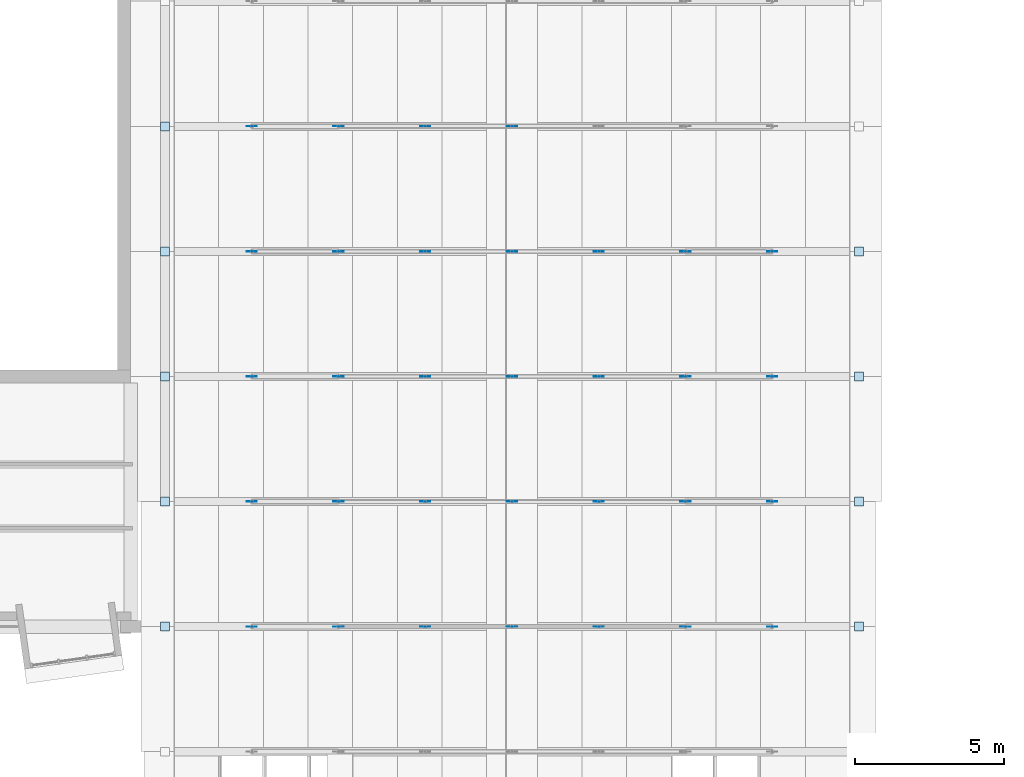
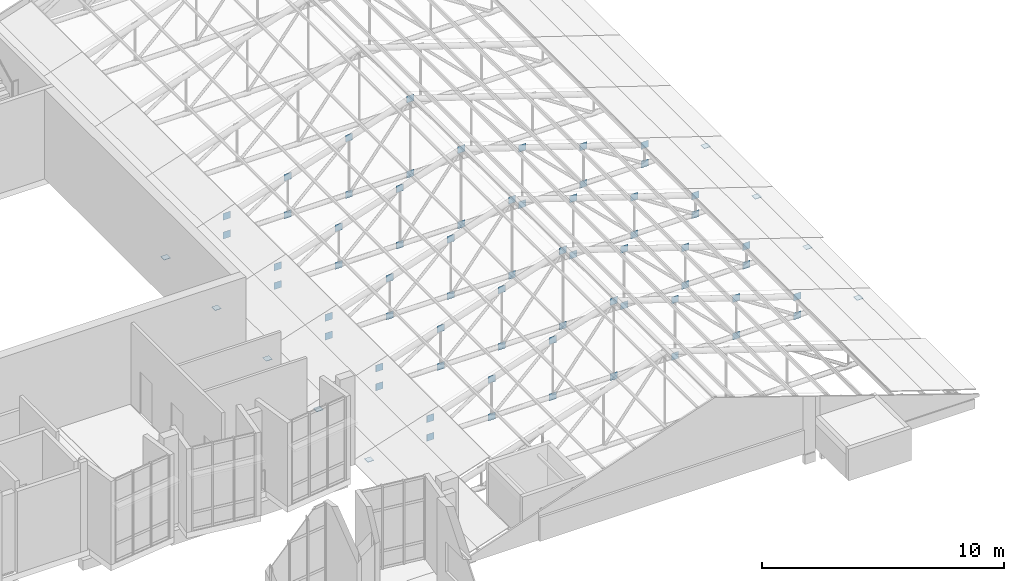
# One storey, part 76 of 95: 73 plates.
"""IFC4 building model written with IfcOpenShell, lengths in metres."""

from ifc_helpers import new_model, si_unit, direction, frame, origin, origin_2d, place, context, subcontext, project, spatial, rectangle, extrude, material, layer, layer_set, type_object, element, save


model = new_model("IFC4")

# Units and contexts
model_context = context("Model", 3, precision=1e-05, world=origin(), true_north=direction((0.0, 1.0)))
body_context = subcontext(model_context, "Body", "Model", "MODEL_VIEW")
ifc_project = project(units=[si_unit("LENGTHUNIT", "METRE"), si_unit("AREAUNIT", "SQUARE_METRE"), si_unit("VOLUMEUNIT", "CUBIC_METRE"), si_unit("PLANEANGLEUNIT", "RADIAN"), si_unit("MASSUNIT", "GRAM", prefix="KILO")], contexts=[model_context])

# Site, building, storey
site_placement = place(None, origin())
site = spatial("IfcSite", under=ifc_project, at=site_placement, CompositionType="ELEMENT")
building_placement = place(site_placement, origin())
building = spatial("IfcBuilding", under=site, at=building_placement, Name="Kiln Court Media Centre", CompositionType="ELEMENT")
storey_placement = place(building_placement, frame((0.0, 0.0, 24.60009765625)))
storey = spatial("IfcBuildingStorey", under=building, at=storey_placement, Name="L05", CompositionType="ELEMENT", Elevation=24.60009765625)

# Plates
ifc_material_1 = material(Name="Steel ASTM A572 Gr 50", Category="steel")
ifc_layer_1 = layer(ifc_material_1, 0.01611328125)
ifc_layer_set_1 = layer_set([ifc_layer_1], Name="Steel ASTM A572 Gr 50 300x300x16 connection plate")
plate_type_1 = type_object("IfcPlateType", Name="Steel ASTM A572 Gr 50 300x300x16 connection plate", PredefinedType="USERDEFINED", material=ifc_layer_set_1)
for number, where, z_axis, x_axis, name in (
    (1, (34.75, 33.60009765625, -0.152099609375), (0.0, 0.0, 1.0), (1.0, 0.0, 0.0), "foyer truss FT-03 west bearing connection plate"),
    (2, (58.050048828125, 33.60009765625, -0.152099609375), (0.0, 0.0, 1.0), (1.0, 0.0, 0.0), "foyer truss FT-03 east bearing connection plate"),
    (3, (34.75, 37.800048828125, -0.152099609375), (0.0, 0.0, 1.0), (1.0, 0.0, 0.0), "foyer truss FT-04 west bearing connection plate"),
    (4, (58.050048828125, 37.800048828125, -0.152099609375), (0.0, 0.0, 1.0), (1.0, 0.0, 0.0), "foyer truss FT-04 east bearing connection plate"),
    (5, (34.75, 42.0, -0.152099609375), (0.0, 0.0, 1.0), (1.0, 0.0, 0.0), "foyer truss FT-05 west bearing connection plate"),
    (6, (58.050048828125, 42.0, -0.152099609375), (0.0, 0.0, 1.0), (1.0, 0.0, 0.0), "foyer truss FT-05 east bearing connection plate"),
    (7, (34.75, 46.199951171875, -0.152099609375), (0.0, 0.0, 1.0), (1.0, 0.0, 0.0), "foyer truss FT-06 west bearing connection plate"),
    (8, (58.050048828125, 46.199951171875, -0.152099609375), (0.0, 0.0, 1.0), (1.0, 0.0, 0.0), "foyer truss FT-06 east bearing connection plate"),
    (9, (34.75, 50.39990234375, -0.152099609375), (0.0, 0.0, 1.0), (1.0, 0.0, 0.0), "foyer truss FT-07 west bearing connection plate"),
):
    element("IfcPlate", number, at=place(storey_placement, frame(where, z_axis=z_axis, x_axis=x_axis)), inside=storey, type_object=plate_type_1, Name=name, ObjectType="CONNECTION PLATE", PredefinedType="USERDEFINED", context=body_context, shape_type="SweptSolid", body=[
        extrude(rectangle(XDim=0.300048828125, YDim=0.300048828125, at=origin_2d()), origin(), (0.0, 0.0, 1.0), 0.01611328125),
    ])
ifc_material_2 = material(Name="Steel ASTM A572 Gr 50", Category="steel")
ifc_layer_2 = layer(ifc_material_2, 0.010009765625)
ifc_layer_set_2 = layer_set([ifc_layer_2], Name="Steel ASTM A572 Gr 50 350x350x10 connection plate FT")
plate_type_2 = type_object("IfcPlateType", Name="Steel ASTM A572 Gr 50 350x350x10 connection plate FT", PredefinedType="USERDEFINED", material=ifc_layer_set_2)
for number, where, z_axis, x_axis, name in (
    (10, (37.66259765625, 33.60009765625, -0.18896484375), (0.0, 0.0, 1.0), (1.0, 0.0, 0.0), "FT node connection plate"),
    (11, (37.66259765625, 33.60009765625, 0.757568359375), (0.0, 0.0, 1.0), (1.0, 0.0, 0.0), "FT node connection plate"),
    (12, (37.66259765625, 37.800048828125, -0.18896484375), (0.0, 0.0, 1.0), (1.0, 0.0, 0.0), "FT node connection plate"),
    (13, (37.66259765625, 37.800048828125, 0.757568359375), (0.0, 0.0, 1.0), (1.0, 0.0, 0.0), "FT node connection plate"),
    (14, (37.66259765625, 42.0, -0.18896484375), (0.0, 0.0, 1.0), (1.0, 0.0, 0.0), "FT node connection plate"),
    (15, (37.66259765625, 42.0, 0.757568359375), (0.0, 0.0, 1.0), (1.0, 0.0, 0.0), "FT node connection plate"),
    (16, (37.66259765625, 46.199951171875, -0.18896484375), (0.0, 0.0, 1.0), (1.0, 0.0, 0.0), "FT node connection plate"),
    (17, (37.66259765625, 46.199951171875, 0.757568359375), (0.0, 0.0, 1.0), (1.0, 0.0, 0.0), "FT node connection plate"),
    (18, (37.66259765625, 50.39990234375, -0.18896484375), (0.0, 0.0, 1.0), (1.0, 0.0, 0.0), "FT node connection plate"),
    (19, (37.66259765625, 50.39990234375, 0.757568359375), (0.0, 0.0, 1.0), (1.0, 0.0, 0.0), "FT node connection plate"),
    (20, (40.574951171875, 33.60009765625, -0.18896484375), (0.0, 0.0, 1.0), (1.0, 0.0, 0.0), "FT node connection plate"),
    (21, (40.574951171875, 33.60009765625, 1.703857421875), (0.0, 0.0, 1.0), (1.0, 0.0, 0.0), "FT node connection plate"),
    (22, (40.574951171875, 37.800048828125, -0.18896484375), (0.0, 0.0, 1.0), (1.0, 0.0, 0.0), "FT node connection plate"),
    (23, (40.574951171875, 37.800048828125, 1.703857421875), (0.0, 0.0, 1.0), (1.0, 0.0, 0.0), "FT node connection plate"),
    (24, (40.574951171875, 42.0, -0.18896484375), (0.0, 0.0, 1.0), (1.0, 0.0, 0.0), "FT node connection plate"),
    (25, (40.574951171875, 42.0, 1.703857421875), (0.0, 0.0, 1.0), (1.0, 0.0, 0.0), "FT node connection plate"),
    (26, (40.574951171875, 46.199951171875, -0.18896484375), (0.0, 0.0, 1.0), (1.0, 0.0, 0.0), "FT node connection plate"),
    (27, (40.574951171875, 46.199951171875, 1.703857421875), (0.0, 0.0, 1.0), (1.0, 0.0, 0.0), "FT node connection plate"),
    (28, (40.574951171875, 50.39990234375, -0.18896484375), (0.0, 0.0, 1.0), (1.0, 0.0, 0.0), "FT node connection plate"),
    (29, (40.574951171875, 50.39990234375, 1.703857421875), (0.0, 0.0, 1.0), (1.0, 0.0, 0.0), "FT node connection plate"),
    (30, (43.487548828125, 33.60009765625, -0.18896484375), (0.0, 0.0, 1.0), (1.0, 0.0, 0.0), "FT node connection plate"),
    (31, (43.487548828125, 33.60009765625, 2.650146484375), (0.0, 0.0, 1.0), (1.0, 0.0, 0.0), "FT node connection plate"),
    (32, (43.487548828125, 37.800048828125, -0.18896484375), (0.0, 0.0, 1.0), (1.0, 0.0, 0.0), "FT node connection plate"),
    (33, (43.487548828125, 37.800048828125, 2.650146484375), (0.0, 0.0, 1.0), (1.0, 0.0, 0.0), "FT node connection plate"),
    (34, (43.487548828125, 42.0, -0.18896484375), (0.0, 0.0, 1.0), (1.0, 0.0, 0.0), "FT node connection plate"),
    (35, (43.487548828125, 42.0, 2.650146484375), (0.0, 0.0, 1.0), (1.0, 0.0, 0.0), "FT node connection plate"),
    (36, (43.487548828125, 46.199951171875, -0.18896484375), (0.0, 0.0, 1.0), (1.0, 0.0, 0.0), "FT node connection plate"),
    (37, (43.487548828125, 46.199951171875, 2.650146484375), (0.0, 0.0, 1.0), (1.0, 0.0, 0.0), "FT node connection plate"),
    (38, (43.487548828125, 50.39990234375, -0.18896484375), (0.0, 0.0, 1.0), (1.0, 0.0, 0.0), "FT node connection plate"),
    (39, (43.487548828125, 50.39990234375, 2.650146484375), (0.0, 0.0, 1.0), (1.0, 0.0, 0.0), "FT node connection plate"),
    (40, (46.39990234375, 33.60009765625, -0.18896484375), (0.0, 0.0, 1.0), (1.0, 0.0, 0.0), "FT node connection plate"),
    (41, (46.39990234375, 33.60009765625, 3.596435546875), (0.0, 0.0, 1.0), (1.0, 0.0, 0.0), "FT node connection plate"),
    (42, (46.39990234375, 37.800048828125, -0.18896484375), (0.0, 0.0, 1.0), (1.0, 0.0, 0.0), "FT node connection plate"),
    (43, (46.39990234375, 37.800048828125, 3.596435546875), (0.0, 0.0, 1.0), (1.0, 0.0, 0.0), "FT node connection plate"),
    (44, (46.39990234375, 42.0, -0.18896484375), (0.0, 0.0, 1.0), (1.0, 0.0, 0.0), "FT node connection plate"),
    (45, (46.39990234375, 42.0, 3.596435546875), (0.0, 0.0, 1.0), (1.0, 0.0, 0.0), "FT node connection plate"),
    (46, (46.39990234375, 46.199951171875, -0.18896484375), (0.0, 0.0, 1.0), (1.0, 0.0, 0.0), "FT node connection plate"),
    (47, (46.39990234375, 46.199951171875, 3.596435546875), (0.0, 0.0, 1.0), (1.0, 0.0, 0.0), "FT node connection plate"),
    (48, (46.39990234375, 50.39990234375, -0.18896484375), (0.0, 0.0, 1.0), (1.0, 0.0, 0.0), "FT node connection plate"),
    (49, (46.39990234375, 50.39990234375, 3.596435546875), (0.0, 0.0, 1.0), (1.0, 0.0, 0.0), "FT node connection plate"),
    (50, (49.3125, 33.60009765625, -0.18896484375), (0.0, 0.0, 1.0), (1.0, 0.0, 0.0), "FT node connection plate"),
    (51, (49.3125, 33.60009765625, 2.650146484375), (0.0, 0.0, 1.0), (1.0, 0.0, 0.0), "FT node connection plate"),
    (52, (49.3125, 37.800048828125, -0.18896484375), (0.0, 0.0, 1.0), (1.0, 0.0, 0.0), "FT node connection plate"),
    (53, (49.3125, 37.800048828125, 2.650146484375), (0.0, 0.0, 1.0), (1.0, 0.0, 0.0), "FT node connection plate"),
    (54, (49.3125, 42.0, -0.18896484375), (0.0, 0.0, 1.0), (1.0, 0.0, 0.0), "FT node connection plate"),
    (55, (49.3125, 42.0, 2.650146484375), (0.0, 0.0, 1.0), (1.0, 0.0, 0.0), "FT node connection plate"),
    (56, (49.3125, 46.199951171875, -0.18896484375), (0.0, 0.0, 1.0), (1.0, 0.0, 0.0), "FT node connection plate"),
    (57, (49.3125, 46.199951171875, 2.650146484375), (0.0, 0.0, 1.0), (1.0, 0.0, 0.0), "FT node connection plate"),
    (58, (52.22509765625, 33.60009765625, -0.18896484375), (0.0, 0.0, 1.0), (1.0, 0.0, 0.0), "FT node connection plate"),
    (59, (52.22509765625, 33.60009765625, 1.703857421875), (0.0, 0.0, 1.0), (1.0, 0.0, 0.0), "FT node connection plate"),
    (60, (52.22509765625, 37.800048828125, -0.18896484375), (0.0, 0.0, 1.0), (1.0, 0.0, 0.0), "FT node connection plate"),
    (61, (52.22509765625, 37.800048828125, 1.703857421875), (0.0, 0.0, 1.0), (1.0, 0.0, 0.0), "FT node connection plate"),
    (62, (52.22509765625, 42.0, -0.18896484375), (0.0, 0.0, 1.0), (1.0, 0.0, 0.0), "FT node connection plate"),
    (63, (52.22509765625, 42.0, 1.703857421875), (0.0, 0.0, 1.0), (1.0, 0.0, 0.0), "FT node connection plate"),
    (64, (52.22509765625, 46.199951171875, -0.18896484375), (0.0, 0.0, 1.0), (1.0, 0.0, 0.0), "FT node connection plate"),
    (65, (52.22509765625, 46.199951171875, 1.703857421875), (0.0, 0.0, 1.0), (1.0, 0.0, 0.0), "FT node connection plate"),
    (66, (55.137451171875, 33.60009765625, -0.18896484375), (0.0, 0.0, 1.0), (1.0, 0.0, 0.0), "FT node connection plate"),
    (67, (55.137451171875, 33.60009765625, 0.757568359375), (0.0, 0.0, 1.0), (1.0, 0.0, 0.0), "FT node connection plate"),
    (68, (55.137451171875, 37.800048828125, -0.18896484375), (0.0, 0.0, 1.0), (1.0, 0.0, 0.0), "FT node connection plate"),
    (69, (55.137451171875, 37.800048828125, 0.757568359375), (0.0, 0.0, 1.0), (1.0, 0.0, 0.0), "FT node connection plate"),
    (70, (55.137451171875, 42.0, -0.18896484375), (0.0, 0.0, 1.0), (1.0, 0.0, 0.0), "FT node connection plate"),
    (71, (55.137451171875, 42.0, 0.757568359375), (0.0, 0.0, 1.0), (1.0, 0.0, 0.0), "FT node connection plate"),
    (72, (55.137451171875, 46.199951171875, -0.18896484375), (0.0, 0.0, 1.0), (1.0, 0.0, 0.0), "FT node connection plate"),
    (73, (55.137451171875, 46.199951171875, 0.757568359375), (0.0, 0.0, 1.0), (1.0, 0.0, 0.0), "FT node connection plate"),
):
    element("IfcPlate", number, at=place(storey_placement, frame(where, z_axis=z_axis, x_axis=x_axis)), inside=storey, type_object=plate_type_2, Name=name, ObjectType="CONNECTION PLATE", PredefinedType="USERDEFINED", context=body_context, shape_type="SweptSolid", body=[
        extrude(rectangle(XDim=0.35009765625, YDim=0.010009765625, at=origin_2d()), origin(), (0.0, 0.0, 1.0), 0.35009765625),
    ])

save(model, "model.ifc")
